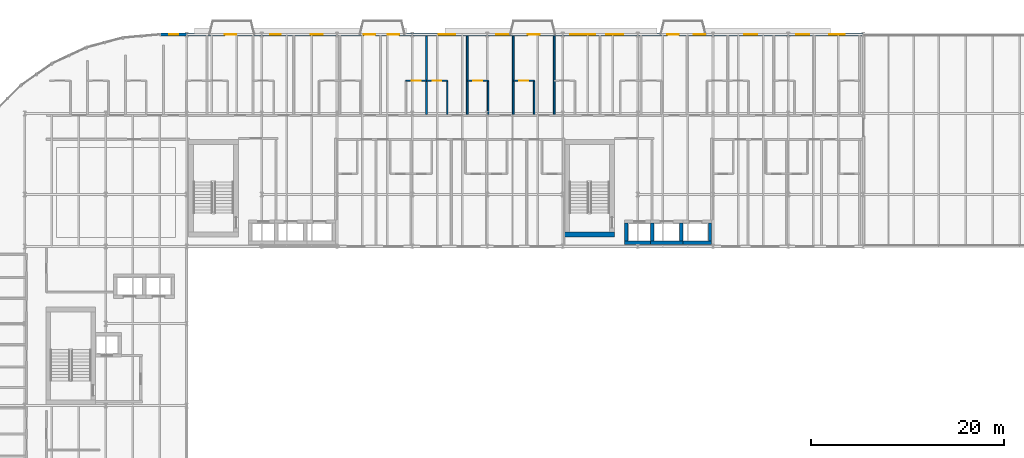
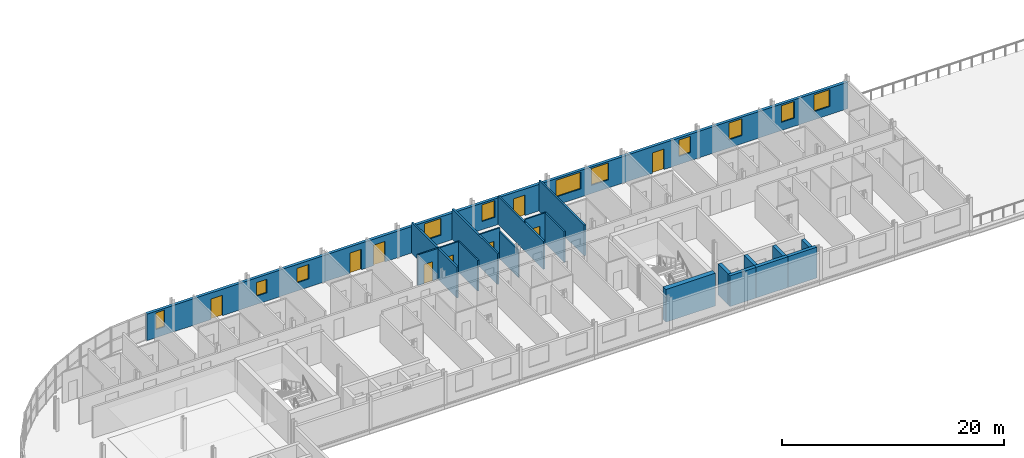
# One storey, part 23 of 30: 20 walls, 11 windows, 9 doors, 20 openings.
"""IFC4 building model written with IfcOpenShell, lengths in metres."""

from ifc_helpers import new_model, si_unit, direction, frame, frame_2d, origin, place, context, subcontext, project, spatial, rectangle, extrude, material, layer, layer_set, type_object, element, fill, save


model = new_model("IFC4")

# Units and contexts
model_context = context("Model", 3, precision=1e-05, world=origin(), true_north=direction((0.0, 1.0)))
body_context = subcontext(model_context, "Body", "Model", "MODEL_VIEW")
ifc_project = project(units=[si_unit("LENGTHUNIT", "METRE"), si_unit("AREAUNIT", "SQUARE_METRE"), si_unit("VOLUMEUNIT", "CUBIC_METRE"), si_unit("PLANEANGLEUNIT", "RADIAN"), si_unit("MASSUNIT", "GRAM", prefix="KILO")], contexts=[model_context])

# Site, building, storey
site_placement = place(None, origin())
site = spatial("IfcSite", under=ifc_project, at=site_placement, CompositionType="ELEMENT")
building_placement = place(site_placement, origin())
building = spatial("IfcBuilding", under=site, at=building_placement, Name="Sefraquen Railside Congress Hotel", CompositionType="ELEMENT")
storey_placement = place(building_placement, frame((0.0, 0.0, 35.39990234375)))
storey = spatial("IfcBuildingStorey", under=building, at=storey_placement, Name="L08", CompositionType="ELEMENT", Elevation=35.39990234375)

# Walls
ifc_material_1 = material(Name="Concrete C50/60", Category="concrete")
ifc_layer_1 = layer(ifc_material_1, 0.35009765625)
ifc_layer_set_1 = layer_set([ifc_layer_1], Name="Concrete C50/60")
wall_type_1 = type_object("IfcWallType", Name="TW-CW-350", PredefinedType="SHEAR", material=ifc_layer_set_1)
wall_1_placement = place(storey_placement, frame((70.639892578125, 96.405029296875, 0.0), z_axis=(0.0, 0.0, 1.0), x_axis=(1.0, 0.0, 0.0)))
element("IfcWall", 1, at=wall_1_placement, inside=storey, type_object=wall_type_1, Name="Lift FL-03 shaft wall S L08", PredefinedType="SHEAR", context=body_context, shape_type="SweptSolid", body=[
    extrude(rectangle(XDim=2.690185546875, YDim=0.35009765625, at=frame_2d((1.34521484375, 0.0))), origin(), (0.0, 0.0, 1.0), 3.380126953125),
])
wall_2_placement = place(storey_placement, frame((70.81494140625, 96.580078125, 0.0), z_axis=(0.0, 0.0, 1.0), x_axis=(0.0, 1.0, 0.0)))
element("IfcWall", 2, at=wall_2_placement, inside=storey, type_object=wall_type_1, Name="Lift FL-03 shaft wall W L08", PredefinedType="SHEAR", context=body_context, shape_type="SweptSolid", body=[
    extrude(rectangle(XDim=1.83984375, YDim=0.35009765625, at=frame_2d((0.919921875, 0.0))), origin(), (0.0, 0.0, 1.0), 3.380126953125),
])
wall_3_placement = place(storey_placement, frame((73.330078125, 96.405029296875, 0.0), z_axis=(0.0, 0.0, 1.0), x_axis=(1.0, 0.0, 0.0)))
element("IfcWall", 3, at=wall_3_placement, inside=storey, type_object=wall_type_1, Name="Lift PL-05 shaft wall S L08", PredefinedType="SHEAR", context=body_context, shape_type="SweptSolid", body=[
    extrude(rectangle(XDim=3.33984375, YDim=0.35009765625, at=frame_2d((1.669921875, 0.0))), origin(), (0.0, 0.0, 1.0), 3.380126953125),
])
for number, where, z_axis, x_axis, name in (
    (4, (73.5048828125, 96.580078125, 0.0), (0.0, 0.0, 1.0), (0.0, 1.0, 0.0), "Lift PL-05 shaft wall W L08"),
    (5, (76.4951171875, 96.580078125, 0.0), (0.0, 0.0, 1.0), (0.0, 1.0, 0.0), "Lift PL-05 shaft wall E L08"),
):
    element("IfcWall", number, at=place(storey_placement, frame(where, z_axis=z_axis, x_axis=x_axis)), inside=storey, type_object=wall_type_1, Name=name, PredefinedType="SHEAR", context=body_context, shape_type="SweptSolid", body=[
        extrude(rectangle(XDim=1.83984375, YDim=0.35009765625, at=frame_2d((0.919921875, 0.0))), origin(), (0.0, 0.0, 1.0), 3.380126953125),
    ])
wall_4_placement = place(storey_placement, frame((76.669921875, 96.405029296875, 0.0), z_axis=(0.0, 0.0, 1.0), x_axis=(1.0, 0.0, 0.0)))
element("IfcWall", 6, at=wall_4_placement, inside=storey, type_object=wall_type_1, Name="Lift PL-06 shaft wall S L08", PredefinedType="SHEAR", context=body_context, shape_type="SweptSolid", body=[
    extrude(rectangle(XDim=2.989990234375, YDim=0.35009765625, at=frame_2d((1.4951171875, 0.0))), origin(), (0.0, 0.0, 1.0), 3.380126953125),
])
wall_5_placement = place(storey_placement, frame((79.485107421875, 96.580078125, 0.0), z_axis=(0.0, 0.0, 1.0), x_axis=(0.0, 1.0, 0.0)))
element("IfcWall", 7, at=wall_5_placement, inside=storey, type_object=wall_type_1, Name="Lift PL-06 shaft wall E L08", PredefinedType="SHEAR", context=body_context, shape_type="SweptSolid", body=[
    extrude(rectangle(XDim=1.83984375, YDim=0.35009765625, at=frame_2d((0.919921875, 0.0))), origin(), (0.0, 0.0, 1.0), 3.010009765625),
])
ifc_layer_2 = layer(ifc_material_1, 0.5)
ifc_layer_set_2 = layer_set([ifc_layer_2], Name="Concrete C50/60")
wall_type_2 = type_object("IfcWallType", Name="TW-CW-500", PredefinedType="SHEAR", material=ifc_layer_set_2)
wall_6_placement = place(storey_placement, frame((64.39990234375, 97.25, 0.0), z_axis=(0.0, 0.0, 1.0), x_axis=(1.0, 0.0, 0.0)))
element("IfcWall", 8, at=wall_6_placement, inside=storey, type_object=wall_type_2, Name="Core shear wall ST-H03 S L08", PredefinedType="SHEAR", context=body_context, shape_type="SweptSolid", body=[
    extrude(rectangle(XDim=5.16015625, YDim=0.5, at=frame_2d((2.580078125, 0.0))), origin(), (0.0, 0.0, 1.0), 3.60009765625),
])

# Wall, openings, doors, windows
ifc_material_2 = material(Name="Ochre Rabat calcarenite limestone and Concrete C40/50 backing", Category="masonry")
ifc_layer_3 = layer(ifc_material_2, 0.300048828125)
ifc_layer_set_3 = layer_set([ifc_layer_3], Name="Ochre Rabat calcarenite limestone and Concrete C40/50 backing")
wall_type_3 = type_object("IfcWallType", Name="TW-EW-300", PredefinedType="STANDARD", material=ifc_layer_set_3)
wall_7_placement = place(storey_placement, frame((22.5, 118.0, 0.0), z_axis=(0.0, 0.0, 1.0), x_axis=(1.0, 0.0, 0.0)))
wall_7 = element("IfcWall", 9, at=wall_7_placement, inside=storey, type_object=wall_type_3, Name="Hotel L08 North Boulevard limestone facade wall", PredefinedType="STANDARD", context=body_context, shape_type="SweptSolid", body=[
    extrude(rectangle(XDim=72.89990234375, YDim=0.300048828125, at=frame_2d((36.449951171875, 0.0))), origin(), (0.0, 0.0, 1.0), 2.920166015625),
])
opening_1_placement = place(wall_7_placement, frame((0.909912109375, 0.0, 0.89990234375)))
opening_1 = element("IfcOpeningElement", 10, at=opening_1_placement, cuts=wall_7, Name="Opening WN-19", PredefinedType="OPENING", context=body_context, shape_type="SweptSolid", body=[
    extrude(rectangle(XDim=0.89990234375, YDim=1.840087890625, at=frame_2d((0.449951171875, 0.919921875))), frame((0.0, 0.159912109375, 0.0), z_axis=(0.0, -1.0, 0.0), x_axis=(1.0, 0.0, 0.0)), (0.0, 0.0, 1.0), 0.320068359375),
])
opening_2_placement = place(wall_7_placement, frame((6.6650390625, 0.0, 0.0)))
opening_2 = element("IfcOpeningElement", 11, at=opening_2_placement, cuts=wall_7, Name="Opening BD-01", PredefinedType="OPENING", context=body_context, shape_type="SweptSolid", body=[
    extrude(rectangle(XDim=1.199951171875, YDim=2.25, at=frame_2d((0.60009765625, 1.125))), frame((0.0, 0.159912109375, 0.0), z_axis=(0.0, -1.0, 0.0), x_axis=(1.0, 0.0, 0.0)), (0.0, 0.0, 1.0), 0.320068359375),
])
opening_3_placement = place(wall_7_placement, frame((11.35498046875, 0.0, 0.89990234375)))
opening_3 = element("IfcOpeningElement", 12, at=opening_3_placement, cuts=wall_7, Name="Opening WN-21", PredefinedType="OPENING", context=body_context, shape_type="SweptSolid", body=[
    extrude(rectangle(XDim=1.10009765625, YDim=1.5, at=frame_2d((0.550048828125, 0.75))), frame((0.0, 0.159912109375, 0.0), z_axis=(0.0, -1.0, 0.0), x_axis=(1.0, 0.0, 0.0)), (0.0, 0.0, 1.0), 0.320068359375),
])
opening_4_placement = place(wall_7_placement, frame((15.580078125, 0.0, 0.89990234375)))
opening_4 = element("IfcOpeningElement", 13, at=opening_4_placement, cuts=wall_7, Name="Opening WN-22", PredefinedType="OPENING", context=body_context, shape_type="SweptSolid", body=[
    extrude(rectangle(XDim=1.25, YDim=1.60009765625, at=frame_2d((0.625, 0.800048828125))), frame((0.0, 0.159912109375, 0.0), z_axis=(0.0, -1.0, 0.0), x_axis=(1.0, 0.0, 0.0)), (0.0, 0.0, 1.0), 0.320068359375),
])
opening_5_placement = place(wall_7_placement, frame((21.080078125, 0.0, 0.0)))
opening_5 = element("IfcOpeningElement", 14, at=opening_5_placement, cuts=wall_7, Name="Opening BD-01", PredefinedType="OPENING", context=body_context, shape_type="SweptSolid", body=[
    extrude(rectangle(XDim=1.199951171875, YDim=2.25, at=frame_2d((0.60009765625, 1.125))), frame((0.0, 0.159912109375, 0.0), z_axis=(0.0, -1.0, 0.0), x_axis=(1.0, 0.0, 0.0)), (0.0, 0.0, 1.0), 0.320068359375),
])
opening_6_placement = place(wall_7_placement, frame((23.5400390625, 0.0, 0.0)))
opening_6 = element("IfcOpeningElement", 15, at=opening_6_placement, cuts=wall_7, Name="Opening BD-01", PredefinedType="OPENING", context=body_context, shape_type="SweptSolid", body=[
    extrude(rectangle(XDim=1.199951171875, YDim=2.25, at=frame_2d((0.60009765625, 1.125))), frame((0.0, 0.159912109375, 0.0), z_axis=(0.0, -1.0, 0.0), x_axis=(1.0, 0.0, 0.0)), (0.0, 0.0, 1.0), 0.320068359375),
])
opening_7_placement = place(wall_7_placement, frame((28.830078125, 0.0, 0.89990234375)))
opening_7 = element("IfcOpeningElement", 16, at=opening_7_placement, cuts=wall_7, Name="Opening WN-25", PredefinedType="OPENING", context=body_context, shape_type="SweptSolid", body=[
    extrude(rectangle(XDim=1.75, YDim=1.840087890625, at=frame_2d((0.875, 0.919921875))), frame((0.0, 0.159912109375, 0.0), z_axis=(0.0, -1.0, 0.0), x_axis=(1.0, 0.0, 0.0)), (0.0, 0.0, 1.0), 0.320068359375),
])
opening_8_placement = place(wall_7_placement, frame((34.804931640625, 0.0, 0.89990234375)))
opening_8 = element("IfcOpeningElement", 17, at=opening_8_placement, cuts=wall_7, Name="Opening WN-26", PredefinedType="OPENING", context=body_context, shape_type="SweptSolid", body=[
    extrude(rectangle(XDim=1.35009765625, YDim=1.840087890625, at=frame_2d((0.675048828125, 0.919921875))), frame((0.0, 0.159912109375, 0.0), z_axis=(0.0, -1.0, 0.0), x_axis=(1.0, 0.0, 0.0)), (0.0, 0.0, 1.0), 0.320068359375),
])
opening_9_placement = place(wall_7_placement, frame((38.10498046875, 0.0, 0.0)))
opening_9 = element("IfcOpeningElement", 18, at=opening_9_placement, cuts=wall_7, Name="Opening BD-01", PredefinedType="OPENING", context=body_context, shape_type="SweptSolid", body=[
    extrude(rectangle(XDim=1.199951171875, YDim=2.25, at=frame_2d((0.60009765625, 1.125))), frame((0.0, 0.159912109375, 0.0), z_axis=(0.0, -1.0, 0.0), x_axis=(1.0, 0.0, 0.0)), (0.0, 0.0, 1.0), 0.320068359375),
])
opening_10_placement = place(wall_7_placement, frame((42.5048828125, 0.0, 0.89990234375)))
opening_10 = element("IfcOpeningElement", 19, at=opening_10_placement, cuts=wall_7, Name="Opening WN-28", PredefinedType="OPENING", context=body_context, shape_type="SweptSolid", body=[
    extrude(rectangle(XDim=2.60009765625, YDim=1.840087890625, at=frame_2d((1.300048828125, 0.919921875))), frame((0.0, 0.159912109375, 0.0), z_axis=(0.0, -1.0, 0.0), x_axis=(1.0, 0.0, 0.0)), (0.0, 0.0, 1.0), 0.320068359375),
])
opening_11_placement = place(wall_7_placement, frame((46.199951171875, 0.0, 0.89990234375)))
opening_11 = element("IfcOpeningElement", 20, at=opening_11_placement, cuts=wall_7, Name="Opening WN-29", PredefinedType="OPENING", context=body_context, shape_type="SweptSolid", body=[
    extrude(rectangle(XDim=1.800048828125, YDim=1.840087890625, at=frame_2d((0.89990234375, 0.919921875))), frame((0.0, 0.159912109375, 0.0), z_axis=(0.0, -1.0, 0.0), x_axis=(1.0, 0.0, 0.0)), (0.0, 0.0, 1.0), 0.320068359375),
])
opening_12_placement = place(wall_7_placement, frame((52.56494140625, 0.0, 0.0)))
opening_12 = element("IfcOpeningElement", 21, at=opening_12_placement, cuts=wall_7, Name="Opening BD-01", PredefinedType="OPENING", context=body_context, shape_type="SweptSolid", body=[
    extrude(rectangle(XDim=1.199951171875, YDim=2.25, at=frame_2d((0.60009765625, 1.125))), frame((0.0, 0.159912109375, 0.0), z_axis=(0.0, -1.0, 0.0), x_axis=(1.0, 0.0, 0.0)), (0.0, 0.0, 1.0), 0.320068359375),
])
opening_13_placement = place(wall_7_placement, frame((55.304931640625, 0.0, 0.89990234375)))
opening_13 = element("IfcOpeningElement", 22, at=opening_13_placement, cuts=wall_7, Name="Opening WN-01", PredefinedType="OPENING", context=body_context, shape_type="SweptSolid", body=[
    extrude(rectangle(XDim=1.199951171875, YDim=1.800048828125, at=frame_2d((0.60009765625, 0.89990234375))), frame((0.0, 0.159912109375, 0.0), z_axis=(0.0, -1.0, 0.0), x_axis=(1.0, 0.0, 0.0)), (0.0, 0.0, 1.0), 0.320068359375),
])
opening_14_placement = place(wall_7_placement, frame((60.530029296875, 0.0, 0.89990234375)))
opening_14 = element("IfcOpeningElement", 23, at=opening_14_placement, cuts=wall_7, Name="Opening WN-02", PredefinedType="OPENING", context=body_context, shape_type="SweptSolid", body=[
    extrude(rectangle(XDim=1.35009765625, YDim=1.840087890625, at=frame_2d((0.675048828125, 0.919921875))), frame((0.0, 0.159912109375, 0.0), z_axis=(0.0, -1.0, 0.0), x_axis=(1.0, 0.0, 0.0)), (0.0, 0.0, 1.0), 0.320068359375),
])
opening_15_placement = place(wall_7_placement, frame((65.955078125, 0.0, 0.89990234375)))
opening_15 = element("IfcOpeningElement", 24, at=opening_15_placement, cuts=wall_7, Name="Opening WN-03", PredefinedType="OPENING", context=body_context, shape_type="SweptSolid", body=[
    extrude(rectangle(XDim=1.35009765625, YDim=1.840087890625, at=frame_2d((0.675048828125, 0.919921875))), frame((0.0, 0.159912109375, 0.0), z_axis=(0.0, -1.0, 0.0), x_axis=(1.0, 0.0, 0.0)), (0.0, 0.0, 1.0), 0.320068359375),
])
opening_16_placement = place(wall_7_placement, frame((69.3349609375, 0.0, 0.89990234375)))
opening_16 = element("IfcOpeningElement", 25, at=opening_16_placement, cuts=wall_7, Name="Opening WN-04", PredefinedType="OPENING", context=body_context, shape_type="SweptSolid", body=[
    extrude(rectangle(XDim=1.64990234375, YDim=1.840087890625, at=frame_2d((0.824951171875, 0.919921875))), frame((0.0, 0.159912109375, 0.0), z_axis=(0.0, -1.0, 0.0), x_axis=(1.0, 0.0, 0.0)), (0.0, 0.0, 1.0), 0.320068359375),
])
ifc_material_3 = material(Name="Bronze and low-E fire-rated glass", Category="glass")
door_type_1 = type_object("IfcDoorType", Name="TD-BD-01", OperationType="NOTDEFINED", PredefinedType="DOOR", material=ifc_material_3)
door_1_placement = place(opening_2_placement, origin())
door_1 = element("IfcDoor", 26, at=door_1_placement, inside=storey, type_object=door_type_1, Name="Guest balcony glazed door SP-L08-RM-002", OperationType="SINGLE_SWING_LEFT", OverallHeight=2.25, OverallWidth=1.199951171875, PredefinedType="DOOR", context=body_context, shape_type="SweptSolid", body=[
    extrude(rectangle(XDim=1.199951171875, YDim=2.25, at=frame_2d((0.60009765625, 1.125))), frame((0.0, 0.02490234375, 0.0), z_axis=(0.0, -1.0, 0.0), x_axis=(1.0, 0.0, 0.0)), (0.0, 0.0, 1.0), 0.050048828125),
])
fill(opening_2, door_1)
door_2_placement = place(opening_5_placement, origin())
door_2 = element("IfcDoor", 27, at=door_2_placement, inside=storey, type_object=door_type_1, Name="Guest balcony glazed door SP-L08-RM-005", OperationType="SINGLE_SWING_RIGHT", OverallHeight=2.25, OverallWidth=1.199951171875, PredefinedType="DOOR", context=body_context, shape_type="SweptSolid", body=[
    extrude(rectangle(XDim=1.199951171875, YDim=2.25, at=frame_2d((0.60009765625, 1.125))), frame((0.0, 0.02490234375, 0.0), z_axis=(0.0, -1.0, 0.0), x_axis=(1.0, 0.0, 0.0)), (0.0, 0.0, 1.0), 0.050048828125),
])
fill(opening_5, door_2)
door_3_placement = place(opening_6_placement, origin())
door_3 = element("IfcDoor", 28, at=door_3_placement, inside=storey, type_object=door_type_1, Name="Guest balcony glazed door SP-L08-RM-006", OperationType="SINGLE_SWING_LEFT", OverallHeight=2.25, OverallWidth=1.199951171875, PredefinedType="DOOR", context=body_context, shape_type="SweptSolid", body=[
    extrude(rectangle(XDim=1.199951171875, YDim=2.25, at=frame_2d((0.60009765625, 1.125))), frame((0.0, 0.02490234375, 0.0), z_axis=(0.0, -1.0, 0.0), x_axis=(1.0, 0.0, 0.0)), (0.0, 0.0, 1.0), 0.050048828125),
])
fill(opening_6, door_3)
door_4_placement = place(opening_9_placement, origin())
door_4 = element("IfcDoor", 29, at=door_4_placement, inside=storey, type_object=door_type_1, Name="Guest balcony glazed door SP-L08-RM-009", OperationType="SINGLE_SWING_RIGHT", OverallHeight=2.25, OverallWidth=1.199951171875, PredefinedType="DOOR", context=body_context, shape_type="SweptSolid", body=[
    extrude(rectangle(XDim=1.199951171875, YDim=2.25, at=frame_2d((0.60009765625, 1.125))), frame((0.0, 0.02490234375, 0.0), z_axis=(0.0, -1.0, 0.0), x_axis=(1.0, 0.0, 0.0)), (0.0, 0.0, 1.0), 0.050048828125),
])
fill(opening_9, door_4)
door_5_placement = place(opening_12_placement, origin())
door_5 = element("IfcDoor", 30, at=door_5_placement, inside=storey, type_object=door_type_1, Name="Guest balcony glazed door SP-L08-RM-012", OperationType="SINGLE_SWING_LEFT", OverallHeight=2.25, OverallWidth=1.199951171875, PredefinedType="DOOR", context=body_context, shape_type="SweptSolid", body=[
    extrude(rectangle(XDim=1.199951171875, YDim=2.25, at=frame_2d((0.60009765625, 1.125))), frame((0.0, 0.02490234375, 0.0), z_axis=(0.0, -1.0, 0.0), x_axis=(1.0, 0.0, 0.0)), (0.0, 0.0, 1.0), 0.050048828125),
])
fill(opening_12, door_5)
ifc_material_4 = material(Name="Solar-control low-E double glazing in bronze-anodised frame", Category="glass")
window_type_1 = type_object("IfcWindowType", Name="TWN-W-01", PartitioningType="DOUBLE_PANEL_VERTICAL", PredefinedType="WINDOW", material=ifc_material_4)
window_1_placement = place(opening_13_placement, origin())
window_1 = element("IfcWindow", 31, at=window_1_placement, inside=storey, type_object=window_type_1, Name="Guest room north window SP-L08-RM-013", OverallHeight=1.800048828125, OverallWidth=1.199951171875, PartitioningType="DOUBLE_PANEL_VERTICAL", PredefinedType="WINDOW", context=body_context, shape_type="SweptSolid", body=[
    extrude(rectangle(XDim=1.199951171875, YDim=1.800048828125, at=frame_2d((0.60009765625, 0.89990234375))), frame((0.0, 0.030029296875, 0.0), z_axis=(0.0, -1.0, 0.0), x_axis=(1.0, 0.0, 0.0)), (0.0, 0.0, 1.0), 0.06005859375),
])
fill(opening_13, window_1)
window_type_2 = type_object("IfcWindowType", Name="TWN-W-02", PartitioningType="DOUBLE_PANEL_VERTICAL", PredefinedType="WINDOW", material=ifc_material_4)
window_2_placement = place(opening_14_placement, origin())
window_2 = element("IfcWindow", 32, at=window_2_placement, inside=storey, type_object=window_type_2, Name="Guest room north window SP-L08-RM-014", OverallHeight=1.840087890625, OverallWidth=1.35009765625, PartitioningType="DOUBLE_PANEL_VERTICAL", PredefinedType="WINDOW", context=body_context, shape_type="SweptSolid", body=[
    extrude(rectangle(XDim=1.35009765625, YDim=1.840087890625, at=frame_2d((0.675048828125, 0.919921875))), frame((0.0, 0.030029296875, 0.0), z_axis=(0.0, -1.0, 0.0), x_axis=(1.0, 0.0, 0.0)), (0.0, 0.0, 1.0), 0.06005859375),
])
fill(opening_14, window_2)
window_type_3 = type_object("IfcWindowType", Name="TWN-W-03", PartitioningType="DOUBLE_PANEL_VERTICAL", PredefinedType="WINDOW", material=ifc_material_4)
window_3_placement = place(opening_15_placement, origin())
window_3 = element("IfcWindow", 33, at=window_3_placement, inside=storey, type_object=window_type_3, Name="Guest room north window SP-L08-RM-015", OverallHeight=1.840087890625, OverallWidth=1.35009765625, PartitioningType="DOUBLE_PANEL_VERTICAL", PredefinedType="WINDOW", context=body_context, shape_type="SweptSolid", body=[
    extrude(rectangle(XDim=1.35009765625, YDim=1.840087890625, at=frame_2d((0.675048828125, 0.919921875))), frame((0.0, 0.030029296875, 0.0), z_axis=(0.0, -1.0, 0.0), x_axis=(1.0, 0.0, 0.0)), (0.0, 0.0, 1.0), 0.06005859375),
])
fill(opening_15, window_3)
window_type_4 = type_object("IfcWindowType", Name="TWN-W-04", PartitioningType="DOUBLE_PANEL_VERTICAL", PredefinedType="WINDOW", material=ifc_material_4)
window_4_placement = place(opening_16_placement, origin())
window_4 = element("IfcWindow", 34, at=window_4_placement, inside=storey, type_object=window_type_4, Name="Guest room north window SP-L08-RM-016", OverallHeight=1.840087890625, OverallWidth=1.64990234375, PartitioningType="DOUBLE_PANEL_VERTICAL", PredefinedType="WINDOW", context=body_context, shape_type="SweptSolid", body=[
    extrude(rectangle(XDim=1.64990234375, YDim=1.840087890625, at=frame_2d((0.824951171875, 0.919921875))), frame((0.0, 0.030029296875, 0.0), z_axis=(0.0, -1.0, 0.0), x_axis=(1.0, 0.0, 0.0)), (0.0, 0.0, 1.0), 0.06005859375),
])
fill(opening_16, window_4)
window_type_5 = type_object("IfcWindowType", Name="TWN-W-19", PartitioningType="DOUBLE_PANEL_VERTICAL", PredefinedType="WINDOW", material=ifc_material_4)
window_5_placement = place(opening_1_placement, origin())
window_5 = element("IfcWindow", 35, at=window_5_placement, inside=storey, type_object=window_type_5, Name="Guest room north window SP-L08-RM-001", OverallHeight=1.840087890625, OverallWidth=0.89990234375, PartitioningType="DOUBLE_PANEL_VERTICAL", PredefinedType="WINDOW", context=body_context, shape_type="SweptSolid", body=[
    extrude(rectangle(XDim=0.89990234375, YDim=1.840087890625, at=frame_2d((0.449951171875, 0.919921875))), frame((0.0, 0.030029296875, 0.0), z_axis=(0.0, -1.0, 0.0), x_axis=(1.0, 0.0, 0.0)), (0.0, 0.0, 1.0), 0.06005859375),
])
fill(opening_1, window_5)
window_type_6 = type_object("IfcWindowType", Name="TWN-W-21", PartitioningType="DOUBLE_PANEL_VERTICAL", PredefinedType="WINDOW", material=ifc_material_4)
window_6_placement = place(opening_3_placement, origin())
window_6 = element("IfcWindow", 36, at=window_6_placement, inside=storey, type_object=window_type_6, Name="Guest room north window SP-L08-RM-003", OverallHeight=1.5, OverallWidth=1.10009765625, PartitioningType="DOUBLE_PANEL_VERTICAL", PredefinedType="WINDOW", context=body_context, shape_type="SweptSolid", body=[
    extrude(rectangle(XDim=1.10009765625, YDim=1.5, at=frame_2d((0.550048828125, 0.75))), frame((0.0, 0.030029296875, 0.0), z_axis=(0.0, -1.0, 0.0), x_axis=(1.0, 0.0, 0.0)), (0.0, 0.0, 1.0), 0.06005859375),
])
fill(opening_3, window_6)
window_type_7 = type_object("IfcWindowType", Name="TWN-W-22", PartitioningType="DOUBLE_PANEL_VERTICAL", PredefinedType="WINDOW", material=ifc_material_4)
window_7_placement = place(opening_4_placement, origin())
window_7 = element("IfcWindow", 37, at=window_7_placement, inside=storey, type_object=window_type_7, Name="Guest room north window SP-L08-RM-004", OverallHeight=1.60009765625, OverallWidth=1.25, PartitioningType="DOUBLE_PANEL_VERTICAL", PredefinedType="WINDOW", context=body_context, shape_type="SweptSolid", body=[
    extrude(rectangle(XDim=1.25, YDim=1.60009765625, at=frame_2d((0.625, 0.800048828125))), frame((0.0, 0.030029296875, 0.0), z_axis=(0.0, -1.0, 0.0), x_axis=(1.0, 0.0, 0.0)), (0.0, 0.0, 1.0), 0.06005859375),
])
fill(opening_4, window_7)
window_type_8 = type_object("IfcWindowType", Name="TWN-W-25", PartitioningType="DOUBLE_PANEL_VERTICAL", PredefinedType="WINDOW", material=ifc_material_4)
window_8_placement = place(opening_7_placement, origin())
window_8 = element("IfcWindow", 38, at=window_8_placement, inside=storey, type_object=window_type_8, Name="Guest room north window SP-L08-RM-007", OverallHeight=1.840087890625, OverallWidth=1.75, PartitioningType="DOUBLE_PANEL_VERTICAL", PredefinedType="WINDOW", context=body_context, shape_type="SweptSolid", body=[
    extrude(rectangle(XDim=1.75, YDim=1.840087890625, at=frame_2d((0.875, 0.919921875))), frame((0.0, 0.030029296875, 0.0), z_axis=(0.0, -1.0, 0.0), x_axis=(1.0, 0.0, 0.0)), (0.0, 0.0, 1.0), 0.06005859375),
])
fill(opening_7, window_8)
window_type_9 = type_object("IfcWindowType", Name="TWN-W-26", PartitioningType="DOUBLE_PANEL_VERTICAL", PredefinedType="WINDOW", material=ifc_material_4)
window_9_placement = place(opening_8_placement, origin())
window_9 = element("IfcWindow", 39, at=window_9_placement, inside=storey, type_object=window_type_9, Name="Guest room north window SP-L08-RM-008", OverallHeight=1.840087890625, OverallWidth=1.35009765625, PartitioningType="DOUBLE_PANEL_VERTICAL", PredefinedType="WINDOW", context=body_context, shape_type="SweptSolid", body=[
    extrude(rectangle(XDim=1.35009765625, YDim=1.840087890625, at=frame_2d((0.675048828125, 0.919921875))), frame((0.0, 0.030029296875, 0.0), z_axis=(0.0, -1.0, 0.0), x_axis=(1.0, 0.0, 0.0)), (0.0, 0.0, 1.0), 0.06005859375),
])
fill(opening_8, window_9)
window_type_10 = type_object("IfcWindowType", Name="TWN-W-28", PartitioningType="DOUBLE_PANEL_VERTICAL", PredefinedType="WINDOW", material=ifc_material_4)
window_10_placement = place(opening_10_placement, origin())
window_10 = element("IfcWindow", 40, at=window_10_placement, inside=storey, type_object=window_type_10, Name="Guest room north window SP-L08-RM-010", OverallHeight=1.840087890625, OverallWidth=2.60009765625, PartitioningType="DOUBLE_PANEL_VERTICAL", PredefinedType="WINDOW", context=body_context, shape_type="SweptSolid", body=[
    extrude(rectangle(XDim=2.60009765625, YDim=1.840087890625, at=frame_2d((1.300048828125, 0.919921875))), frame((0.0, 0.030029296875, 0.0), z_axis=(0.0, -1.0, 0.0), x_axis=(1.0, 0.0, 0.0)), (0.0, 0.0, 1.0), 0.06005859375),
])
fill(opening_10, window_10)
window_type_11 = type_object("IfcWindowType", Name="TWN-W-29", PartitioningType="DOUBLE_PANEL_VERTICAL", PredefinedType="WINDOW", material=ifc_material_4)
window_11_placement = place(opening_11_placement, origin())
window_11 = element("IfcWindow", 41, at=window_11_placement, inside=storey, type_object=window_type_11, Name="Guest room north window SP-L08-RM-011", OverallHeight=1.840087890625, OverallWidth=1.800048828125, PartitioningType="DOUBLE_PANEL_VERTICAL", PredefinedType="WINDOW", context=body_context, shape_type="SweptSolid", body=[
    extrude(rectangle(XDim=1.800048828125, YDim=1.840087890625, at=frame_2d((0.89990234375, 0.919921875))), frame((0.0, 0.030029296875, 0.0), z_axis=(0.0, -1.0, 0.0), x_axis=(1.0, 0.0, 0.0)), (0.0, 0.0, 1.0), 0.06005859375),
])
fill(opening_11, window_11)

# Wall, opening, door
ifc_material_5 = material(Name="Moisture-resistant gypsum board", Category="gypsum")
ifc_layer_4 = layer(ifc_material_5, 0.139892578125)
ifc_layer_set_4 = layer_set([ifc_layer_4], Name="Moisture-resistant gypsum board")
wall_type_4 = type_object("IfcWallType", Name="TW-PW-140", PredefinedType="PARTITIONING", material=ifc_layer_set_4)
wall_8_placement = place(storey_placement, frame((47.93994140625, 113.199951171875, 0.0), z_axis=(0.0, 0.0, 1.0), x_axis=(1.0, 0.0, 0.0)))
wall_8 = element("IfcWall", 42, at=wall_8_placement, inside=storey, type_object=wall_type_4, Name="En-suite bathroom north wall RM-006", PredefinedType="PARTITIONING", context=body_context, shape_type="SweptSolid", body=[
    extrude(rectangle(XDim=2.150146484375, YDim=0.139892578125, at=frame_2d((1.0751953125, 0.0))), origin(), (0.0, 0.0, 1.0), 3.380126953125),
])
opening_17_placement = place(wall_8_placement, frame((0.625, 0.0, 0.0)))
opening_17 = element("IfcOpeningElement", 43, at=opening_17_placement, cuts=wall_8, Name="Opening ID-02", PredefinedType="OPENING", context=body_context, shape_type="SweptSolid", body=[
    extrude(rectangle(XDim=0.89990234375, YDim=2.10009765625, at=frame_2d((0.449951171875, 1.050048828125))), frame((0.0, 0.079833984375, 0.0), z_axis=(0.0, -1.0, 0.0), x_axis=(1.0, 0.0, 0.0)), (0.0, 0.0, 1.0), 0.159912109375),
])
ifc_material_6 = material(Name="Lacquered cedar joinery", Category="wood")
door_type_2 = type_object("IfcDoorType", Name="TD-ID-02", OperationType="NOTDEFINED", PredefinedType="DOOR", material=ifc_material_6)
door_6_placement = place(opening_17_placement, origin())
door_6 = element("IfcDoor", 44, at=door_6_placement, inside=storey, type_object=door_type_2, Name="En-suite bathroom door RM-006", OperationType="SINGLE_SWING_LEFT", OverallHeight=2.10009765625, OverallWidth=0.89990234375, PredefinedType="DOOR", context=body_context, shape_type="SweptSolid", body=[
    extrude(rectangle(XDim=0.89990234375, YDim=2.10009765625, at=frame_2d((0.449951171875, 1.050048828125))), frame((0.0, 0.02490234375, 0.0), z_axis=(0.0, -1.0, 0.0), x_axis=(1.0, 0.0, 0.0)), (0.0, 0.0, 1.0), 0.050048828125),
])
fill(opening_17, door_6)

# Wall
wall_9_placement = place(storey_placement, frame((52.239990234375, 109.699951171875, 0.0), z_axis=(0.0, 0.0, 1.0), x_axis=(0.0, 1.0, 0.0)))
element("IfcWall", 45, at=wall_9_placement, inside=storey, type_object=wall_type_4, Name="En-suite bathroom east wall RM-007", PredefinedType="PARTITIONING", context=body_context, shape_type="SweptSolid", body=[
    extrude(rectangle(XDim=3.5, YDim=0.139892578125, at=frame_2d((1.75, 0.0))), origin(), (0.0, 0.0, 1.0), 3.380126953125),
])

# Wall, opening, door
wall_10_placement = place(storey_placement, frame((50.090087890625, 113.199951171875, 0.0), z_axis=(0.0, 0.0, 1.0), x_axis=(1.0, 0.0, 0.0)))
wall_10 = element("IfcWall", 46, at=wall_10_placement, inside=storey, type_object=wall_type_4, Name="En-suite bathroom north wall RM-007", PredefinedType="PARTITIONING", context=body_context, shape_type="SweptSolid", body=[
    extrude(rectangle(XDim=2.14990234375, YDim=0.139892578125, at=frame_2d((1.074951171875, 0.0))), origin(), (0.0, 0.0, 1.0), 3.380126953125),
])
opening_18_placement = place(wall_10_placement, frame((0.625, 0.0, 0.0)))
opening_18 = element("IfcOpeningElement", 47, at=opening_18_placement, cuts=wall_10, Name="Opening ID-02", PredefinedType="OPENING", context=body_context, shape_type="SweptSolid", body=[
    extrude(rectangle(XDim=0.89990234375, YDim=2.10009765625, at=frame_2d((0.449951171875, 1.050048828125))), frame((0.0, 0.079833984375, 0.0), z_axis=(0.0, -1.0, 0.0), x_axis=(1.0, 0.0, 0.0)), (0.0, 0.0, 1.0), 0.159912109375),
])
door_7_placement = place(opening_18_placement, origin())
door_7 = element("IfcDoor", 48, at=door_7_placement, inside=storey, type_object=door_type_2, Name="En-suite bathroom door RM-007", OperationType="SINGLE_SWING_LEFT", OverallHeight=2.10009765625, OverallWidth=0.89990234375, PredefinedType="DOOR", context=body_context, shape_type="SweptSolid", body=[
    extrude(rectangle(XDim=0.89990234375, YDim=2.10009765625, at=frame_2d((0.449951171875, 1.050048828125))), frame((0.0, 0.02490234375, 0.0), z_axis=(0.0, -1.0, 0.0), x_axis=(1.0, 0.0, 0.0)), (0.0, 0.0, 1.0), 0.050048828125),
])
fill(opening_18, door_7)

# Wall
wall_11_placement = place(storey_placement, frame((56.469970703125, 109.699951171875, 0.0), z_axis=(0.0, 0.0, 1.0), x_axis=(0.0, 1.0, 0.0)))
element("IfcWall", 49, at=wall_11_placement, inside=storey, type_object=wall_type_4, Name="En-suite bathroom east wall RM-008", PredefinedType="PARTITIONING", context=body_context, shape_type="SweptSolid", body=[
    extrude(rectangle(XDim=3.5, YDim=0.139892578125, at=frame_2d((1.75, 0.0))), origin(), (0.0, 0.0, 1.0), 3.010009765625),
])

# Wall, opening, door
wall_12_placement = place(storey_placement, frame((54.320068359375, 113.199951171875, 0.0), z_axis=(0.0, 0.0, 1.0), x_axis=(1.0, 0.0, 0.0)))
wall_12 = element("IfcWall", 50, at=wall_12_placement, inside=storey, type_object=wall_type_4, Name="En-suite bathroom north wall RM-008", PredefinedType="PARTITIONING", context=body_context, shape_type="SweptSolid", body=[
    extrude(rectangle(XDim=2.14990234375, YDim=0.139892578125, at=frame_2d((1.074951171875, 0.0))), origin(), (0.0, 0.0, 1.0), 3.380126953125),
])
opening_19_placement = place(wall_12_placement, frame((0.625, 0.0, 0.0)))
opening_19 = element("IfcOpeningElement", 51, at=opening_19_placement, cuts=wall_12, Name="Opening ID-02", PredefinedType="OPENING", context=body_context, shape_type="SweptSolid", body=[
    extrude(rectangle(XDim=0.89990234375, YDim=2.10009765625, at=frame_2d((0.449951171875, 1.050048828125))), frame((0.0, 0.079833984375, 0.0), z_axis=(0.0, -1.0, 0.0), x_axis=(1.0, 0.0, 0.0)), (0.0, 0.0, 1.0), 0.159912109375),
])
door_8_placement = place(opening_19_placement, origin())
door_8 = element("IfcDoor", 52, at=door_8_placement, inside=storey, type_object=door_type_2, Name="En-suite bathroom door RM-008", OperationType="SINGLE_SWING_LEFT", OverallHeight=2.10009765625, OverallWidth=0.89990234375, PredefinedType="DOOR", context=body_context, shape_type="SweptSolid", body=[
    extrude(rectangle(XDim=0.89990234375, YDim=2.10009765625, at=frame_2d((0.449951171875, 1.050048828125))), frame((0.0, 0.02490234375, 0.0), z_axis=(0.0, -1.0, 0.0), x_axis=(1.0, 0.0, 0.0)), (0.0, 0.0, 1.0), 0.050048828125),
])
fill(opening_19, door_8)

# Wall
wall_13_placement = place(storey_placement, frame((61.239990234375, 109.699951171875, 0.0), z_axis=(0.0, 0.0, 1.0), x_axis=(0.0, 1.0, 0.0)))
element("IfcWall", 53, at=wall_13_placement, inside=storey, type_object=wall_type_4, Name="En-suite bathroom east wall RM-009", PredefinedType="PARTITIONING", context=body_context, shape_type="SweptSolid", body=[
    extrude(rectangle(XDim=3.5, YDim=0.139892578125, at=frame_2d((1.75, 0.0))), origin(), (0.0, 0.0, 1.0), 3.380126953125),
])

# Wall, opening, door
wall_14_placement = place(storey_placement, frame((59.090087890625, 113.199951171875, 0.0), z_axis=(0.0, 0.0, 1.0), x_axis=(1.0, 0.0, 0.0)))
wall_14 = element("IfcWall", 54, at=wall_14_placement, inside=storey, type_object=wall_type_4, Name="En-suite bathroom north wall RM-009", PredefinedType="PARTITIONING", context=body_context, shape_type="SweptSolid", body=[
    extrude(rectangle(XDim=2.14990234375, YDim=0.139892578125, at=frame_2d((1.074951171875, 0.0))), origin(), (0.0, 0.0, 1.0), 3.380126953125),
])
opening_20_placement = place(wall_14_placement, frame((0.625, 0.0, 0.0)))
opening_20 = element("IfcOpeningElement", 55, at=opening_20_placement, cuts=wall_14, Name="Opening ID-02", PredefinedType="OPENING", context=body_context, shape_type="SweptSolid", body=[
    extrude(rectangle(XDim=0.89990234375, YDim=2.10009765625, at=frame_2d((0.449951171875, 1.050048828125))), frame((0.0, 0.079833984375, 0.0), z_axis=(0.0, -1.0, 0.0), x_axis=(1.0, 0.0, 0.0)), (0.0, 0.0, 1.0), 0.159912109375),
])
door_9_placement = place(opening_20_placement, origin())
door_9 = element("IfcDoor", 56, at=door_9_placement, inside=storey, type_object=door_type_2, Name="En-suite bathroom door RM-009", OperationType="SINGLE_SWING_LEFT", OverallHeight=2.10009765625, OverallWidth=0.89990234375, PredefinedType="DOOR", context=body_context, shape_type="SweptSolid", body=[
    extrude(rectangle(XDim=0.89990234375, YDim=2.10009765625, at=frame_2d((0.449951171875, 1.050048828125))), frame((0.0, 0.02490234375, 0.0), z_axis=(0.0, -1.0, 0.0), x_axis=(1.0, 0.0, 0.0)), (0.0, 0.0, 1.0), 0.050048828125),
])
fill(opening_20, door_9)

# Walls
ifc_material_7 = material(Name="Acoustic gypsum board on metal stud", Category="gypsum")
ifc_layer_5 = layer(ifc_material_7, 0.179931640625)
ifc_layer_set_5 = layer_set([ifc_layer_5], Name="Acoustic gypsum board on metal stud")
wall_type_5 = type_object("IfcWallType", Name="TW-PW-180", PredefinedType="PARTITIONING", material=ifc_layer_set_5)
for number, where, z_axis, x_axis, name in (
    (57, (50.090087890625, 109.699951171875, 0.0), (0.0, 0.0, 1.0), (0.0, 1.0, 0.0), "Guest room demising wall RM-006"),
    (58, (54.320068359375, 109.699951171875, 0.0), (0.0, 0.0, 1.0), (0.0, 1.0, 0.0), "Guest room demising wall RM-007"),
):
    element("IfcWall", number, at=place(storey_placement, frame(where, z_axis=z_axis, x_axis=x_axis)), inside=storey, type_object=wall_type_5, Name=name, PredefinedType="PARTITIONING", context=body_context, shape_type="SweptSolid", body=[
        extrude(rectangle(XDim=8.150146484375, YDim=0.179931640625, at=frame_2d((4.0751953125, 0.0))), origin(), (0.0, 0.0, 1.0), 3.380126953125),
    ])
wall_15_placement = place(storey_placement, frame((59.090087890625, 109.699951171875, 0.0), z_axis=(0.0, 0.0, 1.0), x_axis=(0.0, 1.0, 0.0)))
element("IfcWall", 59, at=wall_15_placement, inside=storey, type_object=wall_type_5, Name="Guest room demising wall RM-008", PredefinedType="PARTITIONING", context=body_context, shape_type="SweptSolid", body=[
    extrude(rectangle(XDim=8.150146484375, YDim=0.179931640625, at=frame_2d((4.0751953125, 0.0))), origin(), (0.0, 0.0, 1.0), 3.070068359375),
])
wall_16_placement = place(storey_placement, frame((63.320068359375, 109.699951171875, 0.0), z_axis=(0.0, 0.0, 1.0), x_axis=(0.0, 1.0, 0.0)))
element("IfcWall", 60, at=wall_16_placement, inside=storey, type_object=wall_type_5, Name="Guest room demising wall RM-009", PredefinedType="PARTITIONING", context=body_context, shape_type="SweptSolid", body=[
    extrude(rectangle(XDim=8.150146484375, YDim=0.179931640625, at=frame_2d((4.0751953125, 0.0))), origin(), (0.0, 0.0, 1.0), 3.380126953125),
])

save(model, "model.ifc")
